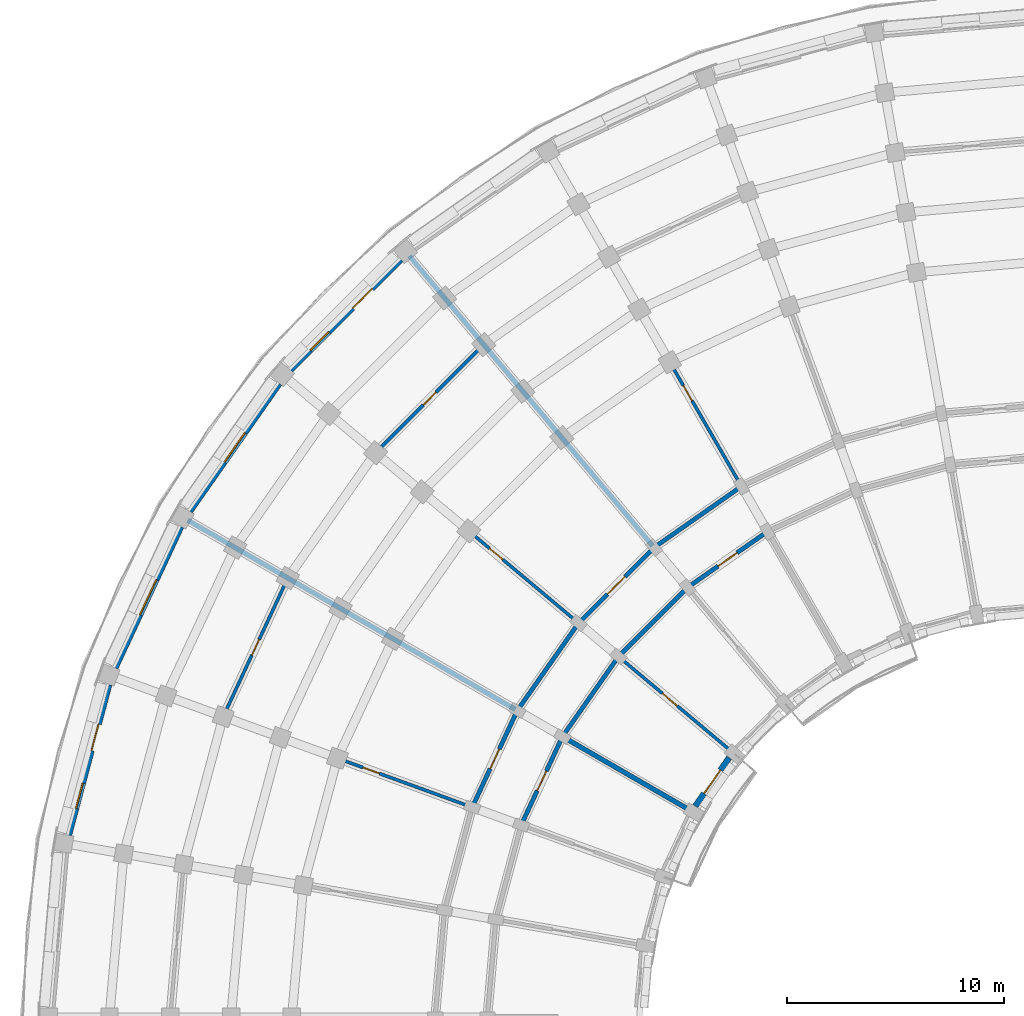
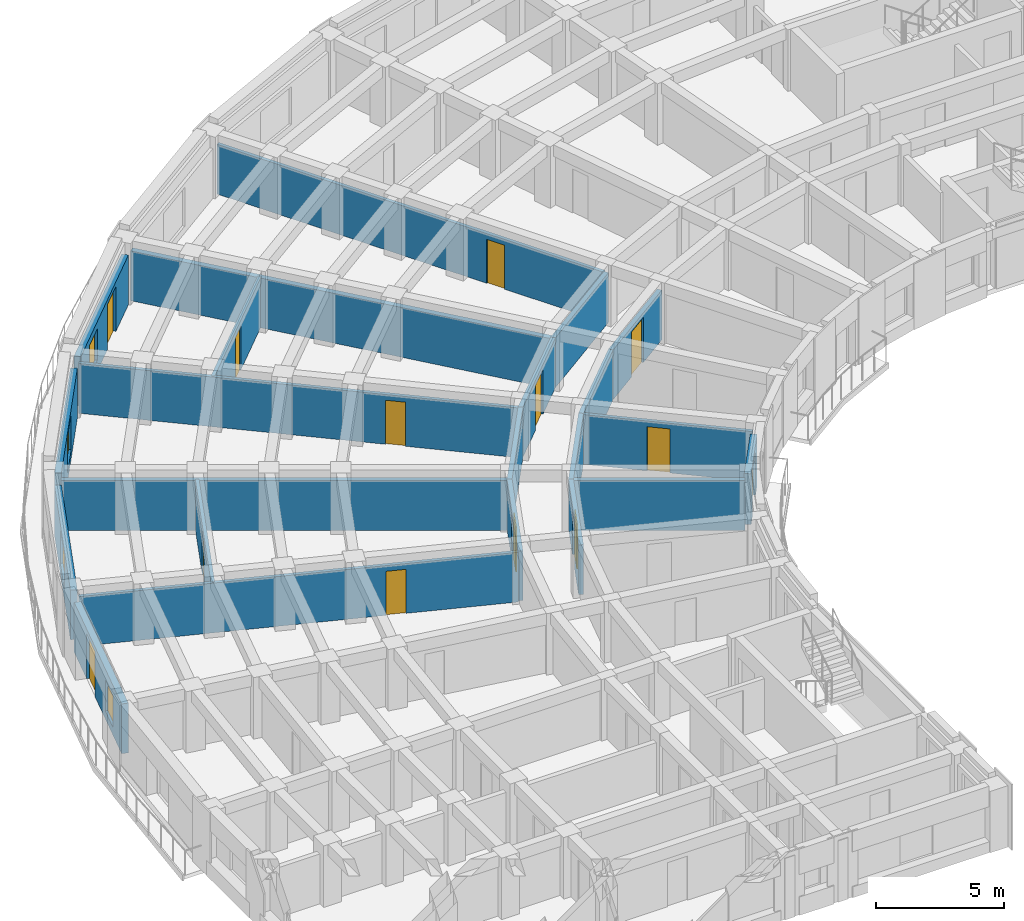
# One storey, part 24 of 54: 22 walls, 13 doors, 4 windows, 17 openings.
"""IFC4 building model written with IfcOpenShell, lengths in metres."""

import ifcopenshell
import ifcopenshell.guid

model = None  # the IFC model being written
_history = None  # IfcOwnerHistory: only IFC2X3 demands one
_inside = {}  # id of a spatial element -> (the spatial element, [elements in it])
_under = {}  # id of a project, library or spatial element -> (it, [spatial elements below it])
_declared = {}  # id of a project -> (the project, [libraries it declares])
_typed = {}  # id of a type object -> (the type object, [elements of that type])
_made_of = {}  # id of a material, layer set ... -> (it, [elements and type objects made of it])


def new_model(schema):
    """Start an empty IFC model of exactly this schema.

    Asked for "IFC4X3", IfcOpenShell would pick the latest addendum, in which some entities
    have other attributes; the version numbers below select the first issue.
    IFC2X3 requires an IfcOwnerHistory on every rooted entity: one is made here for all.
    """
    global model, _history
    if schema == "IFC4X3":
        model = ifcopenshell.file(schema_version=(4, 3, 0, 0))
    else:
        model = ifcopenshell.file(schema=schema)
    _inside.clear()
    _under.clear()
    _declared.clear()
    _typed.clear()
    _made_of.clear()
    _history = None
    if model.schema == "IFC2X3":
        org = make("IfcOrganization", Name="unknown")
        user = make(
            "IfcPersonAndOrganization",
            ThePerson=make("IfcPerson", FamilyName="unknown"),
            TheOrganization=org,
        )
        app = make(
            "IfcApplication",
            ApplicationDeveloper=org,
            Version="unknown",
            ApplicationFullName="unknown",
            ApplicationIdentifier="unknown",
        )
        _history = make(
            "IfcOwnerHistory",
            OwningUser=user,
            OwningApplication=app,
            ChangeAction="ADDED",
            CreationDate=0,
        )
    return model


def make(cls, **values):
    """One entity of the class cls with the attributes given. An attribute that is None is left unset."""
    return model.create_entity(
        cls, **{name: value for name, value in values.items() if value is not None}
    )


def rooted(cls, **values):
    """An entity with a GlobalId (a new one), such as an element, a storey or a relation."""
    return make(cls, GlobalId=ifcopenshell.guid.new(), OwnerHistory=_history, **values)


def si_unit(unit_type, name, prefix=None):
    """IfcSIUnit, for example si_unit("LENGTHUNIT", "METRE", prefix="MILLI")."""
    return make("IfcSIUnit", UnitType=unit_type, Prefix=prefix, Name=name)


def assignment(units):
    """IfcUnitAssignment: the units of a project."""
    return None if units is None else make("IfcUnitAssignment", Units=units)


def point(xyz):
    """IfcCartesianPoint."""
    return None if xyz is None else make("IfcCartesianPoint", Coordinates=xyz)


def direction(xyz):
    """IfcDirection."""
    return None if xyz is None else make("IfcDirection", DirectionRatios=xyz)


def frame(location, z_axis=None, x_axis=None):
    """IfcAxis2Placement3D, a coordinate frame: its origin and axes. An axis left out is left unset."""
    return make(
        "IfcAxis2Placement3D",
        Location=point(location),
        Axis=direction(z_axis),
        RefDirection=direction(x_axis),
    )


def frame_2d(location, x_axis=None):
    """IfcAxis2Placement2D, a coordinate frame in the plane: its origin and x axis."""
    return make(
        "IfcAxis2Placement2D", Location=point(location), RefDirection=direction(x_axis)
    )


def origin():
    """The frame at (0, 0, 0) with its axes left unset."""
    return frame((0.0, 0.0, 0.0))


def place(relative_to, where):
    """IfcLocalPlacement: puts the frame where relative to a parent placement (None: the world)."""
    return make(
        "IfcLocalPlacement", PlacementRelTo=relative_to, RelativePlacement=where
    )


def context(
    kind, dimensions, precision=None, world=None, true_north=None, identifier=None
):
    """IfcGeometricRepresentationContext, for example the 3D "Model" context."""
    return make(
        "IfcGeometricRepresentationContext",
        ContextIdentifier=identifier,
        ContextType=kind,
        CoordinateSpaceDimension=dimensions,
        Precision=precision,
        WorldCoordinateSystem=world,
        TrueNorth=true_north,
    )


def subcontext(parent, identifier, kind, view, scale=None):
    """IfcGeometricRepresentationSubContext, for example "Body" below "Model"."""
    return make(
        "IfcGeometricRepresentationSubContext",
        ContextIdentifier=identifier,
        ContextType=kind,
        ParentContext=parent,
        TargetScale=scale,
        TargetView=view,
    )


def project(units=None, contexts=None):
    """IfcProject with its units and contexts."""
    return rooted(
        "IfcProject",
        Name="project",
        RepresentationContexts=contexts,
        UnitsInContext=assignment(units),
    )


def spatial(cls, under=None, at=None, **own):
    """A site, building, storey or space (cls), placed at a placement, below another one or the project."""
    s = rooted(cls, ObjectPlacement=at, **own)
    if under is not None:
        _under.setdefault(under.id(), (under, []))[1].append(s)
    return s


def profile(cls, at=None, kind="AREA", **sizes):
    """A parametric profile (cls). Its sizes go by their IFC names, for example OverallWidth=200.0."""
    return make(cls, ProfileType=kind, Position=at, **sizes)


def rectangle(**sizes):
    """IfcRectangleProfileDef."""
    return profile("IfcRectangleProfileDef", **sizes)


def extrude(swept, where, along, depth):
    """IfcExtrudedAreaSolid: the profile swept, set in the frame where, extruded along a direction by depth."""
    return make(
        "IfcExtrudedAreaSolid",
        SweptArea=swept,
        Position=where,
        ExtrudedDirection=direction(along),
        Depth=depth,
    )


def shape(context_of_items, identifier, shape_type, items):
    """IfcShapeRepresentation: the items that make up one representation, for example the "Body"."""
    return make(
        "IfcShapeRepresentation",
        ContextOfItems=context_of_items,
        RepresentationIdentifier=identifier,
        RepresentationType=shape_type,
        Items=items,
    )


def material(Name=None, Category=None):
    """IfcMaterial."""
    return make("IfcMaterial", Name=Name, Category=Category)


def layer(
    of_material, thickness, ventilated=None, Name=None, Category=None, Priority=None
):
    """IfcMaterialLayer: one layer of a wall or slab, of a material (None: an air gap)."""
    return make(
        "IfcMaterialLayer",
        Material=of_material,
        LayerThickness=thickness,
        IsVentilated=ventilated,
        Name=Name,
        Category=Category,
        Priority=Priority,
    )


def layer_set(layers, Name=None):
    """IfcMaterialLayerSet."""
    return make("IfcMaterialLayerSet", MaterialLayers=layers, LayerSetName=Name)


def made_of(thing, what):
    """Note that an element or type object is made of a material, layer set ...; save() writes the relation."""
    if what is not None:
        _made_of.setdefault(what.id(), (what, []))[1].append(thing)
    return thing


def type_object(cls, material=None, **own):
    """A type object (cls), such as IfcWallType, which elements share."""
    return made_of(rooted(cls, **own), material)


def element(
    cls,
    number,
    at=None,
    inside=None,
    cuts=None,
    type_object=None,
    material=None,
    context=None,
    identifier="Body",
    shape_type=None,
    held_by="IfcProductDefinitionShape",
    body=None,
    shapes=None,
    **own,
):
    """One element of the class cls, such as IfcWall. Its Tag is "e" and its number.

    at: its placement. inside: the storey or other place that contains it. cuts: it is an
    opening in that element (IfcRelVoidsElement). A single representation is given by context,
    identifier, shape_type and body (its items); several are given by shapes. held_by: the class
    of the entity that holds the representations. save() writes the other relations.
    """
    e = rooted(cls, Tag="e%d" % number, ObjectPlacement=at, **own)
    if body is not None:
        shapes = [shape(context, identifier, shape_type, body)]
    if shapes is not None:
        e.Representation = make(held_by, Representations=shapes)
    if inside is not None:
        _inside.setdefault(inside.id(), (inside, []))[1].append(e)
    if cuts is not None:
        rooted(
            "IfcRelVoidsElement", RelatingBuildingElement=cuts, RelatedOpeningElement=e
        )
    if type_object is not None:
        _typed.setdefault(type_object.id(), (type_object, []))[1].append(e)
    return made_of(e, material)


def fill(opening, filler):
    """IfcRelFillsElement: the door or window that sits in an opening."""
    return rooted(
        "IfcRelFillsElement",
        RelatingOpeningElement=opening,
        RelatedBuildingElement=filler,
    )


def aggregate(whole, parts):
    """IfcRelAggregates: a whole, such as a stair, and the parts it consists of."""
    return rooted("IfcRelAggregates", RelatingObject=whole, RelatedObjects=parts)


def save(model, path):
    """Write the relations noted so far, then the file.

    IfcRelAggregates (storeys below a building ...), IfcRelContainedInSpatialStructure (elements
    in a storey), IfcRelDefinesByType, IfcRelAssociatesMaterial and IfcRelDeclares: one each for
    every whole, place, type object, material and project.
    """
    for whole, parts in _under.values():
        aggregate(whole, parts)
    for where, things in _inside.values():
        rooted(
            "IfcRelContainedInSpatialStructure",
            RelatedElements=things,
            RelatingStructure=where,
        )
    for kind, things in _typed.values():
        rooted("IfcRelDefinesByType", RelatedObjects=things, RelatingType=kind)
    for what, things in _made_of.values():
        rooted("IfcRelAssociatesMaterial", RelatedObjects=things, RelatingMaterial=what)
    for by, libraries in _declared.values():
        rooted("IfcRelDeclares", RelatingContext=by, RelatedDefinitions=libraries)
    model.write(path)


model = new_model("IFC4")

# Units and contexts
model_context = context("Model", 3, precision=1e-05, world=origin(), true_north=direction((0.0, 1.0)))
body_context = subcontext(model_context, "Body", "Model", "MODEL_VIEW")
ifc_project = project(units=[si_unit("LENGTHUNIT", "METRE"), si_unit("AREAUNIT", "SQUARE_METRE"), si_unit("VOLUMEUNIT", "CUBIC_METRE"), si_unit("PLANEANGLEUNIT", "RADIAN"), si_unit("MASSUNIT", "GRAM", prefix="KILO")], contexts=[model_context])

# Site, building, storey
site_placement = place(None, origin())
site = spatial("IfcSite", under=ifc_project, at=site_placement, CompositionType="ELEMENT")
building_placement = place(site_placement, origin())
building = spatial("IfcBuilding", under=site, at=building_placement, Name="Kiranvali Square Residences", CompositionType="ELEMENT")
storey_placement = place(building_placement, frame((0.0, 0.0, 11.85009765625)))
storey = spatial("IfcBuildingStorey", under=building, at=storey_placement, Name="L03", CompositionType="ELEMENT", Elevation=11.85009765625)

# Wall, opening, door
ifc_material_1 = material(Name="Autoclaved aerated concrete blockwork masonry", Category="masonry")
ifc_layer_1 = layer(ifc_material_1, 0.199951171875)
ifc_layer_set_1 = layer_set([ifc_layer_1], Name="Autoclaved aerated concrete blockwork masonry")
wall_type_1 = type_object("IfcWallType", Name="WL-COR-200", PredefinedType="STANDARD", material=ifc_layer_set_1)
wall_1_placement = place(storey_placement, frame((35.300048828125, 110.1435546875, 0.0), z_axis=(0.0, 0.0, 1.0), x_axis=(-0.819155404658, -0.573571637217, 0.0)))
wall_1 = element("IfcWall", 1, at=wall_1_placement, inside=storey, type_object=wall_type_1, Name="L03 architectural wall WL-L03-A-CCI-3", PredefinedType="STANDARD", context=body_context, shape_type="SweptSolid", body=[
    extrude(rectangle(XDim=4.497314453125, YDim=0.199951171875, at=frame_2d((2.24853515625, 0.0))), origin(), (0.0, 0.0, 1.0), 2.371826171875),
])
opening_1_placement = place(wall_1_placement, frame((1.708740234375, 0.0, 0.0)))
opening_1 = element("IfcOpeningElement", 2, at=opening_1_placement, cuts=wall_1, Name="Opening FD-APT-60C", PredefinedType="OPENING", context=body_context, shape_type="SweptSolid", body=[
    extrude(rectangle(XDim=1.080078125, YDim=2.14990234375, at=frame_2d((0.5400390625, 1.074951171875))), frame((0.0, 0.10986328125, 0.0), z_axis=(0.0, -1.0, 0.0), x_axis=(1.0, 0.0, 0.0)), (0.0, 0.0, 1.0), 0.219970703125),
])
ifc_material_2 = material(Name="Fire-rated acoustic hardwood and mineral-core door assembly", Category="wood")
door_type_1 = type_object("IfcDoorType", Name="DR-APT-1080", OperationType="NOTDEFINED", PredefinedType="DOOR", material=ifc_material_2)
door_1_placement = place(opening_1_placement, origin())
door_1 = element("IfcDoor", 3, at=door_1_placement, inside=storey, type_object=door_type_1, Name="L03 door DR-L03-0263 (DR-APT-1080)", OperationType="SINGLE_SWING_LEFT", OverallHeight=2.14990234375, OverallWidth=1.080078125, PredefinedType="DOOR", context=body_context, shape_type="SweptSolid", body=[
    extrude(rectangle(XDim=1.080078125, YDim=2.14990234375, at=frame_2d((0.5400390625, 1.074951171875))), frame((0.0, 0.02490234375, 0.0), z_axis=(0.0, -1.0, 0.0), x_axis=(1.0, 0.0, 0.0)), (0.0, 0.0, 1.0), 0.050048828125),
])
fill(opening_1, door_1)

# Walls
wall_2_placement = place(storey_placement, frame((34.10009765625, 112.221923828125, 0.0), z_axis=(0.0, 0.0, 1.0), x_axis=(-0.819140911474, -0.573592335331, 0.0)))
element("IfcWall", 4, at=wall_2_placement, inside=storey, type_object=wall_type_1, Name="L03 architectural wall WL-L03-A-CCO-3", PredefinedType="STANDARD", context=body_context, shape_type="SweptSolid", body=[
    extrude(rectangle(XDim=4.915771484375, YDim=0.199951171875, at=frame_2d((2.4580078125, 0.0))), origin(), (0.0, 0.0, 1.0), 2.371826171875),
])
wall_3_placement = place(storey_placement, frame((31.615966796875, 107.56396484375, 0.0), z_axis=(0.0, 0.0, 1.0), x_axis=(-0.707106781187, -0.707106781187, 0.0)))
element("IfcWall", 5, at=wall_3_placement, inside=storey, type_object=wall_type_1, Name="L03 architectural wall WL-L03-A-CCI-4", PredefinedType="STANDARD", context=body_context, shape_type="SweptSolid", body=[
    extrude(rectangle(XDim=4.4970703125, YDim=0.199951171875, at=frame_2d((2.24853515625, 0.0))), origin(), (0.0, 0.0, 1.0), 2.371826171875),
])

# Wall, opening, door
wall_4_placement = place(storey_placement, frame((30.073486328125, 109.40234375, 0.0), z_axis=(0.0, 0.0, 1.0), x_axis=(-0.707106781187, -0.707106781187, 0.0)))
wall_4 = element("IfcWall", 6, at=wall_4_placement, inside=storey, type_object=wall_type_1, Name="L03 architectural wall WL-L03-A-CCO-4", PredefinedType="STANDARD", context=body_context, shape_type="SweptSolid", body=[
    extrude(rectangle(XDim=4.91552734375, YDim=0.199951171875, at=frame_2d((2.457763671875, 0.0))), origin(), (0.0, 0.0, 1.0), 2.371826171875),
])
opening_2_placement = place(wall_4_placement, frame((1.8876953125, 0.0, 0.0)))
opening_2 = element("IfcOpeningElement", 7, at=opening_2_placement, cuts=wall_4, Name="Opening FD-APT-60D", PredefinedType="OPENING", context=body_context, shape_type="SweptSolid", body=[
    extrude(rectangle(XDim=1.139892578125, YDim=2.14990234375, at=frame_2d((0.56982421875, 1.074951171875))), frame((0.0, 0.10986328125, 0.0), z_axis=(0.0, -1.0, 0.0), x_axis=(1.0, 0.0, 0.0)), (0.0, 0.0, 1.0), 0.219970703125),
])
door_type_2 = type_object("IfcDoorType", Name="DR-APT-1140", OperationType="NOTDEFINED", PredefinedType="DOOR", material=ifc_material_2)
door_2_placement = place(opening_2_placement, origin())
door_2 = element("IfcDoor", 8, at=door_2_placement, inside=storey, type_object=door_type_2, Name="L03 door DR-L03-0257 (DR-APT-1140)", OperationType="SINGLE_SWING_LEFT", OverallHeight=2.14990234375, OverallWidth=1.139892578125, PredefinedType="DOOR", context=body_context, shape_type="SweptSolid", body=[
    extrude(rectangle(XDim=1.139892578125, YDim=2.14990234375, at=frame_2d((0.56982421875, 1.074951171875))), frame((0.0, 0.02490234375, 0.0), z_axis=(0.0, -1.0, 0.0), x_axis=(1.0, 0.0, 0.0)), (0.0, 0.0, 1.0), 0.050048828125),
])
fill(opening_2, door_2)

# Walls
wall_5_placement = place(storey_placement, frame((28.43603515625, 104.384033203125, 0.0), z_axis=(0.0, 0.0, 1.0), x_axis=(-0.573571637217, -0.819155404658, 0.0)))
element("IfcWall", 9, at=wall_5_placement, inside=storey, type_object=wall_type_1, Name="L03 architectural wall WL-L03-A-CCI-5", PredefinedType="STANDARD", context=body_context, shape_type="SweptSolid", body=[
    extrude(rectangle(XDim=4.497314453125, YDim=0.199951171875, at=frame_2d((2.24853515625, 0.0))), origin(), (0.0, 0.0, 1.0), 2.371826171875),
])
wall_6_placement = place(storey_placement, frame((26.59765625, 105.926513671875, 0.0), z_axis=(0.0, 0.0, 1.0), x_axis=(-0.573592335331, -0.819140911474, 0.0)))
element("IfcWall", 10, at=wall_6_placement, inside=storey, type_object=wall_type_1, Name="L03 architectural wall WL-L03-A-CCO-5", PredefinedType="STANDARD", context=body_context, shape_type="SweptSolid", body=[
    extrude(rectangle(XDim=4.915771484375, YDim=0.199951171875, at=frame_2d((2.4580078125, 0.0))), origin(), (0.0, 0.0, 1.0), 2.371826171875),
])

# Wall, opening, door
wall_7_placement = place(storey_placement, frame((25.8564453125, 100.699951171875, 0.0), z_axis=(0.0, 0.0, 1.0), x_axis=(-0.422617978463, -0.906307919131, 0.0)))
wall_7 = element("IfcWall", 11, at=wall_7_placement, inside=storey, type_object=wall_type_1, Name="L03 architectural wall WL-L03-A-CCI-6", PredefinedType="STANDARD", context=body_context, shape_type="SweptSolid", body=[
    extrude(rectangle(XDim=4.497314453125, YDim=0.199951171875, at=frame_2d((2.24853515625, 0.0))), origin(), (0.0, 0.0, 1.0), 2.371826171875),
])
opening_3_placement = place(wall_7_placement, frame((1.74853515625, 0.0, 0.0)))
opening_3 = element("IfcOpeningElement", 12, at=opening_3_placement, cuts=wall_7, Name="Opening FD-APT-60", PredefinedType="OPENING", context=body_context, shape_type="SweptSolid", body=[
    extrude(rectangle(XDim=1.0, YDim=2.14990234375, at=frame_2d((0.5, 1.074951171875))), frame((0.0, 0.10986328125, 0.0), z_axis=(0.0, -1.0, 0.0), x_axis=(1.0, 0.0, 0.0)), (0.0, 0.0, 1.0), 0.219970703125),
])
door_type_3 = type_object("IfcDoorType", Name="DR-APT-1000", OperationType="NOTDEFINED", PredefinedType="DOOR", material=ifc_material_2)
door_3_placement = place(opening_3_placement, frame((1.0, 0.0, 0.0), z_axis=(0.0, 0.0, 1.0), x_axis=(-1.0, 0.0, 0.0)))
door_3 = element("IfcDoor", 13, at=door_3_placement, inside=storey, type_object=door_type_3, Name="L03 door DR-L03-0264 (DR-APT-1000)", OperationType="SINGLE_SWING_RIGHT", OverallHeight=2.14990234375, OverallWidth=1.0, PredefinedType="DOOR", context=body_context, shape_type="SweptSolid", body=[
    extrude(rectangle(XDim=1.0, YDim=2.14990234375, at=frame_2d((0.5, 1.074951171875))), frame((0.0, 0.02490234375, 0.0), z_axis=(0.0, -1.0, 0.0), x_axis=(1.0, 0.0, 0.0)), (0.0, 0.0, 1.0), 0.050048828125),
])
fill(opening_3, door_3)

wall_8_placement = place(storey_placement, frame((23.778076171875, 101.89990234375, 0.0), z_axis=(0.0, 0.0, 1.0), x_axis=(-0.422629854778, -0.906302381024, 0.0)))
wall_8 = element("IfcWall", 14, at=wall_8_placement, inside=storey, type_object=wall_type_1, Name="L03 architectural wall WL-L03-A-CCO-6", PredefinedType="STANDARD", context=body_context, shape_type="SweptSolid", body=[
    extrude(rectangle(XDim=4.915283203125, YDim=0.199951171875, at=frame_2d((2.45751953125, 0.0))), origin(), (0.0, 0.0, 1.0), 2.371826171875),
])
opening_4_placement = place(wall_8_placement, frame((1.957763671875, 0.0, 0.0)))
opening_4 = element("IfcOpeningElement", 15, at=opening_4_placement, cuts=wall_8, Name="Opening FD-APT-60", PredefinedType="OPENING", context=body_context, shape_type="SweptSolid", body=[
    extrude(rectangle(XDim=1.0, YDim=2.14990234375, at=frame_2d((0.5, 1.074951171875))), frame((0.0, 0.10986328125, 0.0), z_axis=(0.0, -1.0, 0.0), x_axis=(1.0, 0.0, 0.0)), (0.0, 0.0, 1.0), 0.219970703125),
])
door_4_placement = place(opening_4_placement, origin())
door_4 = element("IfcDoor", 16, at=door_4_placement, inside=storey, type_object=door_type_3, Name="L03 door DR-L03-0259 (DR-APT-1000)", OperationType="SINGLE_SWING_LEFT", OverallHeight=2.14990234375, OverallWidth=1.0, PredefinedType="DOOR", context=body_context, shape_type="SweptSolid", body=[
    extrude(rectangle(XDim=1.0, YDim=2.14990234375, at=frame_2d((0.5, 1.074951171875))), frame((0.0, 0.02490234375, 0.0), z_axis=(0.0, -1.0, 0.0), x_axis=(1.0, 0.0, 0.0)), (0.0, 0.0, 1.0), 0.050048828125),
])
fill(opening_4, door_4)

# Walls
ifc_layer_2 = layer(ifc_material_1, 0.219970703125)
ifc_layer_set_2 = layer_set([ifc_layer_2], Name="Autoclaved aerated concrete blockwork masonry")
wall_type_2 = type_object("IfcWallType", Name="WL-DEM-220", PredefinedType="STANDARD", material=ifc_layer_set_2)
wall_9_placement = place(storey_placement, frame((31.74560546875, 97.300048828125, 0.0), z_axis=(0.0, 0.0, 1.0), x_axis=(-0.866026575979, 0.499997969693, 0.0)))
element("IfcWall", 17, at=wall_9_placement, inside=storey, type_object=wall_type_2, Name="L03 architectural wall WL-L03-A-RADI-6", PredefinedType="STANDARD", context=body_context, shape_type="SweptSolid", body=[
    extrude(rectangle(XDim=6.75, YDim=0.219970703125, at=frame_2d((3.375, 0.0))), origin(), (0.0, 0.0, 1.0), 2.371826171875),
])
ifc_layer_3 = layer(ifc_material_1, 0.22998046875)
ifc_layer_set_3 = layer_set([ifc_layer_3], Name="Autoclaved aerated concrete blockwork masonry")
wall_type_3 = type_object("IfcWallType", Name="WL-DEM-230", PredefinedType="STANDARD", material=ifc_layer_set_3)
for number, where, z_axis, x_axis, name in (
    (18, (30.009033203125, 109.47900390625, 0.0), (0.0, 0.0, 1.0), (-0.642784757967, 0.766046835987, 0.0), "L03 architectural wall WL-L03-A-RADO-4"),
    (19, (23.69140625, 101.949951171875, 0.0), (0.0, 0.0, 1.0), (-0.866026648973, 0.499997843263, 0.0), "L03 architectural wall WL-L03-A-RADO-6"),
):
    element("IfcWall", number, at=place(storey_placement, frame(where, z_axis=z_axis, x_axis=x_axis)), inside=storey, type_object=wall_type_3, Name=name, PredefinedType="STANDARD", context=body_context, shape_type="SweptSolid", body=[
        extrude(rectangle(XDim=17.419921875, YDim=0.22998046875, at=frame_2d((8.7099609375, 0.0))), origin(), (0.0, 0.0, 1.0), 2.371826171875),
    ])

# Wall, openings, door, window
ifc_material_3 = material(Name="Breathable lime-rendered clay brick masonry", Category="masonry")
ifc_layer_4 = layer(ifc_material_3, 0.27490234375)
ifc_layer_set_4 = layer_set([ifc_layer_4], Name="Breathable lime-rendered clay brick masonry")
wall_type_4 = type_object("IfcWallType", Name="WL-EXT-275", PredefinedType="STANDARD", material=ifc_layer_set_4)
wall_10_placement = place(storey_placement, frame((18.418212890625, 122.647705078125, 0.0), z_axis=(0.0, 0.0, 1.0), x_axis=(-0.707106781187, -0.707106781187, 0.0)))
wall_10 = element("IfcWall", 20, at=wall_10_placement, inside=storey, type_object=wall_type_4, Name="L03 exterior wall A-L03-CRV-04", PredefinedType="STANDARD", context=body_context, shape_type="SweptSolid", body=[
    extrude(rectangle(XDim=7.164306640625, YDim=0.27490234375, at=frame_2d((3.58203125, 0.0))), origin(), (0.0, 0.0, 1.0), 2.371826171875),
])
opening_5_placement = place(wall_10_placement, frame((4.6904296875, 0.0, 0.52197265625)))
opening_5 = element("IfcOpeningElement", 21, at=opening_5_placement, cuts=wall_10, Name="Opening W-06", PredefinedType="OPENING", context=body_context, shape_type="SweptSolid", body=[
    extrude(rectangle(XDim=1.199951171875, YDim=1.5, at=frame_2d((0.60009765625, 0.75))), frame((0.0, 0.1474609375, 0.0), z_axis=(0.0, -1.0, 0.0), x_axis=(1.0, 0.0, 0.0)), (0.0, 0.0, 1.0), 0.294921875),
])
opening_6_placement = place(wall_10_placement, frame((1.87744140625, 0.0, 0.0)))
opening_6 = element("IfcOpeningElement", 22, at=opening_6_placement, cuts=wall_10, Name="Opening ED-BAL-2", PredefinedType="OPENING", context=body_context, shape_type="SweptSolid", body=[
    extrude(rectangle(XDim=1.260009765625, YDim=2.14990234375, at=frame_2d((0.6298828125, 1.074951171875))), frame((0.0, 0.1474609375, 0.0), z_axis=(0.0, -1.0, 0.0), x_axis=(1.0, 0.0, 0.0)), (0.0, 0.0, 1.0), 0.294921875),
])
ifc_material_4 = material(Name="Anodised bronze aluminium framing", Category="aluminium")
door_type_4 = type_object("IfcDoorType", Name="DR-BAL-1260", OperationType="NOTDEFINED", PredefinedType="DOOR", material=ifc_material_4)
door_5_placement = place(opening_6_placement, frame((1.260009765625, 0.0, 0.0), z_axis=(0.0, 0.0, 1.0), x_axis=(-1.0, 0.0, 0.0)))
door_5 = element("IfcDoor", 23, at=door_5_placement, inside=storey, type_object=door_type_4, Name="L03 balcony terrace door", OperationType="SINGLE_SWING_LEFT", OverallHeight=2.14990234375, OverallWidth=1.260009765625, PredefinedType="DOOR", context=body_context, shape_type="SweptSolid", body=[
    extrude(rectangle(XDim=1.260009765625, YDim=2.14990234375, at=frame_2d((0.6298828125, 1.074951171875))), frame((0.0, 0.02490234375, 0.0), z_axis=(0.0, -1.0, 0.0), x_axis=(1.0, 0.0, 0.0)), (0.0, 0.0, 1.0), 0.050048828125),
])
fill(opening_6, door_5)
ifc_material_5 = material(Name="Solar-control low-e double glazing", Category="glass")
window_type_1 = type_object("IfcWindowType", Name="WIN-RES-1200x1500", PartitioningType="SINGLE_PANEL", PredefinedType="WINDOW", material=ifc_material_5)
window_1_placement = place(opening_5_placement, origin())
window_1 = element("IfcWindow", 24, at=window_1_placement, inside=storey, type_object=window_type_1, Name="L03 recessed window A-L03-CRV-04", OverallHeight=1.5, OverallWidth=1.199951171875, PartitioningType="SINGLE_PANEL", PredefinedType="WINDOW", context=body_context, shape_type="SweptSolid", body=[
    extrude(rectangle(XDim=1.199951171875, YDim=1.5, at=frame_2d((0.60009765625, 0.75))), frame((0.0, 0.030029296875, 0.0), z_axis=(0.0, -1.0, 0.0), x_axis=(1.0, 0.0, 0.0)), (0.0, 0.0, 1.0), 0.06005859375),
])
fill(opening_5, window_1)

# Wall, opening, window
wall_11_placement = place(storey_placement, frame((12.8193359375, 116.94677734375, 0.0), z_axis=(0.0, 0.0, 1.0), x_axis=(-0.573562972382, -0.819161471697, 0.0)))
wall_11 = element("IfcWall", 25, at=wall_11_placement, inside=storey, type_object=wall_type_4, Name="L03 exterior wall A-L03-CRV-05", PredefinedType="STANDARD", context=body_context, shape_type="SweptSolid", body=[
    extrude(rectangle(XDim=7.164306640625, YDim=0.27490234375, at=frame_2d((3.58203125, 0.0))), origin(), (0.0, 0.0, 1.0), 2.371826171875),
])
opening_7_placement = place(wall_11_placement, frame((2.757080078125, 0.0, 0.422119140625)))
opening_7 = element("IfcOpeningElement", 26, at=opening_7_placement, cuts=wall_11, Name="Opening W-13", PredefinedType="OPENING", context=body_context, shape_type="SweptSolid", body=[
    extrude(rectangle(XDim=1.64990234375, YDim=1.75, at=frame_2d((0.824951171875, 0.875))), frame((0.0, 0.1474609375, 0.0), z_axis=(0.0, -1.0, 0.0), x_axis=(1.0, 0.0, 0.0)), (0.0, 0.0, 1.0), 0.294921875),
])
window_type_2 = type_object("IfcWindowType", Name="WIN-RES-1650x1750", PartitioningType="DOUBLE_PANEL_VERTICAL", PredefinedType="WINDOW", material=ifc_material_5)
window_2_placement = place(opening_7_placement, origin())
window_2 = element("IfcWindow", 27, at=window_2_placement, inside=storey, type_object=window_type_2, Name="L03 recessed window A-L03-CRV-05", OverallHeight=1.75, OverallWidth=1.64990234375, PartitioningType="DOUBLE_PANEL_VERTICAL", PredefinedType="WINDOW", context=body_context, shape_type="SweptSolid", body=[
    extrude(rectangle(XDim=1.64990234375, YDim=1.75, at=frame_2d((0.824951171875, 0.875))), frame((0.0, 0.030029296875, 0.0), z_axis=(0.0, -1.0, 0.0), x_axis=(1.0, 0.0, 0.0)), (0.0, 0.0, 1.0), 0.06005859375),
])
fill(opening_7, window_2)

wall_12_placement = place(storey_placement, frame((8.295654296875, 110.360107421875, 0.0), z_axis=(0.0, 0.0, 1.0), x_axis=(-0.422633596215, -0.906300636296, 0.0)))
wall_12 = element("IfcWall", 28, at=wall_12_placement, inside=storey, type_object=wall_type_4, Name="L03 exterior wall A-L03-CRV-06", PredefinedType="STANDARD", context=body_context, shape_type="SweptSolid", body=[
    extrude(rectangle(XDim=7.164306640625, YDim=0.27490234375, at=frame_2d((3.58203125, 0.0))), origin(), (0.0, 0.0, 1.0), 2.371826171875),
])
opening_8_placement = place(wall_12_placement, frame((2.68212890625, 0.0, 0.52197265625)))
opening_8 = element("IfcOpeningElement", 29, at=opening_8_placement, cuts=wall_12, Name="Opening W-04", PredefinedType="OPENING", context=body_context, shape_type="SweptSolid", body=[
    extrude(rectangle(XDim=1.800048828125, YDim=1.64990234375, at=frame_2d((0.89990234375, 0.824951171875))), frame((0.0, 0.1474609375, 0.0), z_axis=(0.0, -1.0, 0.0), x_axis=(1.0, 0.0, 0.0)), (0.0, 0.0, 1.0), 0.294921875),
])
window_type_3 = type_object("IfcWindowType", Name="WIN-RES-1800x1650", PartitioningType="DOUBLE_PANEL_VERTICAL", PredefinedType="WINDOW", material=ifc_material_5)
window_3_placement = place(opening_8_placement, origin())
window_3 = element("IfcWindow", 30, at=window_3_placement, inside=storey, type_object=window_type_3, Name="L03 recessed window A-L03-CRV-06", OverallHeight=1.64990234375, OverallWidth=1.800048828125, PartitioningType="DOUBLE_PANEL_VERTICAL", PredefinedType="WINDOW", context=body_context, shape_type="SweptSolid", body=[
    extrude(rectangle(XDim=1.800048828125, YDim=1.64990234375, at=frame_2d((0.89990234375, 0.824951171875))), frame((0.0, 0.030029296875, 0.0), z_axis=(0.0, -1.0, 0.0), x_axis=(1.0, 0.0, 0.0)), (0.0, 0.0, 1.0), 0.06005859375),
])
fill(opening_8, window_3)

# Wall, openings, door, window
wall_13_placement = place(storey_placement, frame((4.984375, 103.087890625, 0.0), z_axis=(0.0, 0.0, 1.0), x_axis=(-0.258826933296, -0.965923712619, 0.0)))
wall_13 = element("IfcWall", 31, at=wall_13_placement, inside=storey, type_object=wall_type_4, Name="L03 exterior wall A-L03-CRV-07", PredefinedType="STANDARD", context=body_context, shape_type="SweptSolid", body=[
    extrude(rectangle(XDim=7.1640625, YDim=0.27490234375, at=frame_2d((3.58203125, 0.0))), origin(), (0.0, 0.0, 1.0), 2.371826171875),
])
opening_9_placement = place(wall_13_placement, frame((4.6904296875, 0.0, 0.3720703125)))
opening_9 = element("IfcOpeningElement", 32, at=opening_9_placement, cuts=wall_13, Name="Opening W-06", PredefinedType="OPENING", context=body_context, shape_type="SweptSolid", body=[
    extrude(rectangle(XDim=1.199951171875, YDim=1.5, at=frame_2d((0.60009765625, 0.75))), frame((0.0, 0.1474609375, 0.0), z_axis=(0.0, -1.0, 0.0), x_axis=(1.0, 0.0, 0.0)), (0.0, 0.0, 1.0), 0.294921875),
])
opening_10_placement = place(wall_13_placement, frame((1.87744140625, 0.0, 0.0)))
opening_10 = element("IfcOpeningElement", 33, at=opening_10_placement, cuts=wall_13, Name="Opening ED-BAL-2", PredefinedType="OPENING", context=body_context, shape_type="SweptSolid", body=[
    extrude(rectangle(XDim=1.260009765625, YDim=2.14990234375, at=frame_2d((0.6298828125, 1.074951171875))), frame((0.0, 0.1474609375, 0.0), z_axis=(0.0, -1.0, 0.0), x_axis=(1.0, 0.0, 0.0)), (0.0, 0.0, 1.0), 0.294921875),
])
door_6_placement = place(opening_10_placement, frame((1.260009765625, 0.0, 0.0), z_axis=(0.0, 0.0, 1.0), x_axis=(-1.0, 0.0, 0.0)))
door_6 = element("IfcDoor", 34, at=door_6_placement, inside=storey, type_object=door_type_4, Name="L03 balcony terrace door", OperationType="SINGLE_SWING_RIGHT", OverallHeight=2.14990234375, OverallWidth=1.260009765625, PredefinedType="DOOR", context=body_context, shape_type="SweptSolid", body=[
    extrude(rectangle(XDim=1.260009765625, YDim=2.14990234375, at=frame_2d((0.6298828125, 1.074951171875))), frame((0.0, 0.02490234375, 0.0), z_axis=(0.0, -1.0, 0.0), x_axis=(1.0, 0.0, 0.0)), (0.0, 0.0, 1.0), 0.050048828125),
])
fill(opening_10, door_6)
window_4_placement = place(opening_9_placement, origin())
window_4 = element("IfcWindow", 35, at=window_4_placement, inside=storey, type_object=window_type_1, Name="L03 recessed window A-L03-CRV-07", OverallHeight=1.5, OverallWidth=1.199951171875, PartitioningType="SINGLE_PANEL", PredefinedType="WINDOW", context=body_context, shape_type="SweptSolid", body=[
    extrude(rectangle(XDim=1.199951171875, YDim=1.5, at=frame_2d((0.60009765625, 0.75))), frame((0.0, 0.030029296875, 0.0), z_axis=(0.0, -1.0, 0.0), x_axis=(1.0, 0.0, 0.0)), (0.0, 0.0, 1.0), 0.06005859375),
])
fill(opening_9, window_4)

# Wall, opening, door
wall_14_placement = place(storey_placement, frame((33.535400390625, 99.72705078125, 0.0), z_axis=(0.0, 0.0, 1.0), x_axis=(-0.573546755948, -0.81917282593, 0.0)))
wall_14 = element("IfcWall", 36, at=wall_14_placement, inside=storey, type_object=wall_type_4, Name="L03 exterior wall A-L03-GDN-05", PredefinedType="STANDARD", context=body_context, shape_type="SweptSolid", body=[
    extrude(rectangle(XDim=2.717529296875, YDim=0.27490234375, at=frame_2d((1.35888671875, 0.0))), origin(), (0.0, 0.0, 1.0), 2.421875),
])
opening_11_placement = place(wall_14_placement, frame((0.69873046875, 0.0, 0.0)))
opening_11 = element("IfcOpeningElement", 37, at=opening_11_placement, cuts=wall_14, Name="Opening ED-BAL-3", PredefinedType="OPENING", context=body_context, shape_type="SweptSolid", body=[
    extrude(rectangle(XDim=1.320068359375, YDim=2.14990234375, at=frame_2d((0.66015625, 1.074951171875))), frame((0.0, 0.1474609375, 0.0), z_axis=(0.0, -1.0, 0.0), x_axis=(1.0, 0.0, 0.0)), (0.0, 0.0, 1.0), 0.294921875),
])
door_type_5 = type_object("IfcDoorType", Name="DR-BAL-1320", OperationType="NOTDEFINED", PredefinedType="DOOR", material=ifc_material_4)
door_7_placement = place(opening_11_placement, origin())
door_7 = element("IfcDoor", 38, at=door_7_placement, inside=storey, type_object=door_type_5, Name="L03 balcony terrace door", OperationType="SINGLE_SWING_RIGHT", OverallHeight=2.14990234375, OverallWidth=1.320068359375, PredefinedType="DOOR", context=body_context, shape_type="SweptSolid", body=[
    extrude(rectangle(XDim=1.320068359375, YDim=2.14990234375, at=frame_2d((0.66015625, 1.074951171875))), frame((0.0, 0.02490234375, 0.0), z_axis=(0.0, -1.0, 0.0), x_axis=(1.0, 0.0, 0.0)), (0.0, 0.0, 1.0), 0.050048828125),
])
fill(opening_11, door_7)

ifc_material_6 = material(Name="Acoustic gypsum board drylined partition", Category="gypsum")
ifc_layer_5 = layer(ifc_material_6, 0.14990234375)
ifc_layer_set_5 = layer_set([ifc_layer_5], Name="Acoustic gypsum board drylined partition")
wall_type_5 = type_object("IfcWallType", Name="WL-PRT-150", PredefinedType="PARTITIONING", material=ifc_layer_set_5)
wall_15_placement = place(storey_placement, frame((34.050048828125, 112.30859375, 0.0), z_axis=(0.0, 0.0, 1.0), x_axis=(-0.499997843263, 0.866026648973, 0.0)))
wall_15 = element("IfcWall", 39, at=wall_15_placement, inside=storey, type_object=wall_type_5, Name="L03 architectural wall WL-L03-A-RADO-3", PredefinedType="PARTITIONING", context=body_context, shape_type="SweptSolid", body=[
    extrude(rectangle(XDim=17.419921875, YDim=0.14990234375, at=frame_2d((8.7099609375, 0.0))), origin(), (0.0, 0.0, 1.0), 2.371826171875),
])
opening_12_placement = place(wall_15_placement, frame((4.44970703125, 0.0, 0.0)))
opening_12 = element("IfcOpeningElement", 40, at=opening_12_placement, cuts=wall_15, Name="Opening ID-WET", PredefinedType="OPENING", context=body_context, shape_type="SweptSolid", body=[
    extrude(rectangle(XDim=0.800048828125, YDim=2.10009765625, at=frame_2d((0.39990234375, 1.050048828125))), frame((0.0, 0.0849609375, 0.0), z_axis=(0.0, -1.0, 0.0), x_axis=(1.0, 0.0, 0.0)), (0.0, 0.0, 1.0), 0.169921875),
])
ifc_material_7 = material(Name="Solid seasoned teak hardwood joinery", Category="wood")
door_type_6 = type_object("IfcDoorType", Name="DR-WET-800", OperationType="NOTDEFINED", PredefinedType="DOOR", material=ifc_material_7)
door_8_placement = place(opening_12_placement, origin())
door_8 = element("IfcDoor", 41, at=door_8_placement, inside=storey, type_object=door_type_6, Name="L03 door DR-L03-0245 (DR-WET-800)", OperationType="SINGLE_SWING_LEFT", OverallHeight=2.10009765625, OverallWidth=0.800048828125, PredefinedType="DOOR", context=body_context, shape_type="SweptSolid", body=[
    extrude(rectangle(XDim=0.800048828125, YDim=2.10009765625, at=frame_2d((0.39990234375, 1.050048828125))), frame((0.0, 0.02490234375, 0.0), z_axis=(0.0, -1.0, 0.0), x_axis=(1.0, 0.0, 0.0)), (0.0, 0.0, 1.0), 0.050048828125),
])
fill(opening_12, door_8)

wall_16_placement = place(storey_placement, frame((33.645263671875, 100.012939453125, 0.0), z_axis=(0.0, 0.0, 1.0), x_axis=(-0.766046761698, 0.642784846501, 0.0)))
wall_16 = element("IfcWall", 42, at=wall_16_placement, inside=storey, type_object=wall_type_5, Name="L03 architectural wall WL-L03-A-RADI-5", PredefinedType="PARTITIONING", context=body_context, shape_type="SweptSolid", body=[
    extrude(rectangle(XDim=6.75, YDim=0.14990234375, at=frame_2d((3.375, 0.0))), origin(), (0.0, 0.0, 1.0), 2.371826171875),
])
opening_13_placement = place(wall_16_placement, frame((3.262451171875, 0.0, 0.0)))
opening_13 = element("IfcOpeningElement", 43, at=opening_13_placement, cuts=wall_16, Name="Opening ID-1", PredefinedType="OPENING", context=body_context, shape_type="SweptSolid", body=[
    extrude(rectangle(XDim=0.89990234375, YDim=2.10009765625, at=frame_2d((0.449951171875, 1.050048828125))), frame((0.0, 0.0849609375, 0.0), z_axis=(0.0, -1.0, 0.0), x_axis=(1.0, 0.0, 0.0)), (0.0, 0.0, 1.0), 0.169921875),
])
door_type_7 = type_object("IfcDoorType", Name="DR-INT-900", OperationType="NOTDEFINED", PredefinedType="DOOR", material=ifc_material_7)
door_9_placement = place(opening_13_placement, origin())
door_9 = element("IfcDoor", 44, at=door_9_placement, inside=storey, type_object=door_type_7, Name="L03 door DR-L03-0247 (DR-INT-900)", OperationType="SINGLE_SWING_LEFT", OverallHeight=2.10009765625, OverallWidth=0.89990234375, PredefinedType="DOOR", context=body_context, shape_type="SweptSolid", body=[
    extrude(rectangle(XDim=0.89990234375, YDim=2.10009765625, at=frame_2d((0.449951171875, 1.050048828125))), frame((0.0, 0.02490234375, 0.0), z_axis=(0.0, -1.0, 0.0), x_axis=(1.0, 0.0, 0.0)), (0.0, 0.0, 1.0), 0.050048828125),
])
fill(opening_13, door_9)

wall_17_placement = place(storey_placement, frame((26.52099609375, 105.990966796875, 0.0), z_axis=(0.0, 0.0, 1.0), x_axis=(-0.766046835987, 0.642784757967, 0.0)))
wall_17 = element("IfcWall", 45, at=wall_17_placement, inside=storey, type_object=wall_type_5, Name="L03 architectural wall WL-L03-A-RADO-5", PredefinedType="PARTITIONING", context=body_context, shape_type="SweptSolid", body=[
    extrude(rectangle(XDim=17.419921875, YDim=0.14990234375, at=frame_2d((8.7099609375, 0.0))), origin(), (0.0, 0.0, 1.0), 2.371826171875),
])
opening_14_placement = place(wall_17_placement, frame((4.44970703125, 0.0, 0.0)))
opening_14 = element("IfcOpeningElement", 46, at=opening_14_placement, cuts=wall_17, Name="Opening ID-WET", PredefinedType="OPENING", context=body_context, shape_type="SweptSolid", body=[
    extrude(rectangle(XDim=0.800048828125, YDim=2.10009765625, at=frame_2d((0.39990234375, 1.050048828125))), frame((0.0, 0.0849609375, 0.0), z_axis=(0.0, -1.0, 0.0), x_axis=(1.0, 0.0, 0.0)), (0.0, 0.0, 1.0), 0.169921875),
])
door_10_placement = place(opening_14_placement, frame((0.800048828125, 0.0, 0.0), z_axis=(0.0, 0.0, 1.0), x_axis=(-1.0, 0.0, 0.0)))
door_10 = element("IfcDoor", 47, at=door_10_placement, inside=storey, type_object=door_type_6, Name="L03 door DR-L03-0248 (DR-WET-800)", OperationType="SINGLE_SWING_RIGHT", OverallHeight=2.10009765625, OverallWidth=0.800048828125, PredefinedType="DOOR", context=body_context, shape_type="SweptSolid", body=[
    extrude(rectangle(XDim=0.800048828125, YDim=2.10009765625, at=frame_2d((0.39990234375, 1.050048828125))), frame((0.0, 0.02490234375, 0.0), z_axis=(0.0, -1.0, 0.0), x_axis=(1.0, 0.0, 0.0)), (0.0, 0.0, 1.0), 0.050048828125),
])
fill(opening_14, door_10)

wall_18_placement = place(storey_placement, frame((21.606689453125, 97.479248046875, 0.0), z_axis=(0.0, 0.0, 1.0), x_axis=(-0.939691901159, 0.342022120477, 0.0)))
wall_18 = element("IfcWall", 48, at=wall_18_placement, inside=storey, type_object=wall_type_5, Name="L03 architectural wall WL-L03-A-RADO-7", PredefinedType="PARTITIONING", context=body_context, shape_type="SweptSolid", body=[
    extrude(rectangle(XDim=17.419921875, YDim=0.14990234375, at=frame_2d((8.7099609375, 0.0))), origin(), (0.0, 0.0, 1.0), 2.371826171875),
])
opening_15_placement = place(wall_18_placement, frame((4.44970703125, 0.0, 0.0)))
opening_15 = element("IfcOpeningElement", 49, at=opening_15_placement, cuts=wall_18, Name="Opening ID-WET", PredefinedType="OPENING", context=body_context, shape_type="SweptSolid", body=[
    extrude(rectangle(XDim=0.800048828125, YDim=2.10009765625, at=frame_2d((0.39990234375, 1.050048828125))), frame((0.0, 0.0849609375, 0.0), z_axis=(0.0, -1.0, 0.0), x_axis=(1.0, 0.0, 0.0)), (0.0, 0.0, 1.0), 0.169921875),
])
door_11_placement = place(opening_15_placement, frame((0.800048828125, 0.0, 0.0), z_axis=(0.0, 0.0, 1.0), x_axis=(-1.0, 0.0, 0.0)))
door_11 = element("IfcDoor", 50, at=door_11_placement, inside=storey, type_object=door_type_6, Name="L03 door DR-L03-0250 (DR-WET-800)", OperationType="SINGLE_SWING_RIGHT", OverallHeight=2.10009765625, OverallWidth=0.800048828125, PredefinedType="DOOR", context=body_context, shape_type="SweptSolid", body=[
    extrude(rectangle(XDim=0.800048828125, YDim=2.10009765625, at=frame_2d((0.39990234375, 1.050048828125))), frame((0.0, 0.02490234375, 0.0), z_axis=(0.0, -1.0, 0.0), x_axis=(1.0, 0.0, 0.0)), (0.0, 0.0, 1.0), 0.050048828125),
])
fill(opening_15, door_11)

ifc_layer_6 = layer(ifc_material_1, 0.14990234375)
ifc_layer_set_6 = layer_set([ifc_layer_6], Name="Autoclaved aerated concrete blockwork masonry")
wall_type_6 = type_object("IfcWallType", Name="WL-WET-150", PredefinedType="PLUMBINGWALL", material=ifc_layer_set_6)
wall_19_placement = place(storey_placement, frame((22.2314453125, 118.748291015625, 0.0), z_axis=(0.0, 0.0, 1.0), x_axis=(-0.707106781187, -0.707106781187, 0.0)))
wall_19 = element("IfcWall", 51, at=wall_19_placement, inside=storey, type_object=wall_type_6, Name="L03 architectural wall WL-L03-A-CWET-4", PredefinedType="PLUMBINGWALL", context=body_context, shape_type="SweptSolid", body=[
    extrude(rectangle(XDim=7.04248046875, YDim=0.14990234375, at=frame_2d((3.521240234375, 0.0))), origin(), (0.0, 0.0, 1.0), 2.371826171875),
])
opening_16_placement = place(wall_19_placement, frame((3.10107421875, 0.0, 0.0)))
opening_16 = element("IfcOpeningElement", 52, at=opening_16_placement, cuts=wall_19, Name="Opening ID-WET2", PredefinedType="OPENING", context=body_context, shape_type="SweptSolid", body=[
    extrude(rectangle(XDim=0.840087890625, YDim=2.10009765625, at=frame_2d((0.419921875, 1.050048828125))), frame((0.0, 0.0849609375, 0.0), z_axis=(0.0, -1.0, 0.0), x_axis=(1.0, 0.0, 0.0)), (0.0, 0.0, 1.0), 0.169921875),
])
door_type_8 = type_object("IfcDoorType", Name="DR-WET-840", OperationType="NOTDEFINED", PredefinedType="DOOR", material=ifc_material_7)
door_12_placement = place(opening_16_placement, frame((0.840087890625, 0.0, 0.0), z_axis=(0.0, 0.0, 1.0), x_axis=(-1.0, 0.0, 0.0)))
door_12 = element("IfcDoor", 53, at=door_12_placement, inside=storey, type_object=door_type_8, Name="L03 door DR-L03-0258 (DR-WET-840)", OperationType="SINGLE_SWING_RIGHT", OverallHeight=2.10009765625, OverallWidth=0.840087890625, PredefinedType="DOOR", context=body_context, shape_type="SweptSolid", body=[
    extrude(rectangle(XDim=0.840087890625, YDim=2.10009765625, at=frame_2d((0.419921875, 1.050048828125))), frame((0.0, 0.02490234375, 0.0), z_axis=(0.0, -1.0, 0.0), x_axis=(1.0, 0.0, 0.0)), (0.0, 0.0, 1.0), 0.050048828125),
])
fill(opening_16, door_12)

wall_20_placement = place(storey_placement, frame((13.212646484375, 108.0, 0.0), z_axis=(0.0, 0.0, 1.0), x_axis=(-0.422640621205, -0.906297360311, 0.0)))
wall_20 = element("IfcWall", 54, at=wall_20_placement, inside=storey, type_object=wall_type_6, Name="L03 architectural wall WL-L03-A-CWET-6", PredefinedType="PLUMBINGWALL", context=body_context, shape_type="SweptSolid", body=[
    extrude(rectangle(XDim=7.042236328125, YDim=0.14990234375, at=frame_2d((3.52099609375, 0.0))), origin(), (0.0, 0.0, 1.0), 2.371826171875),
])
opening_17_placement = place(wall_20_placement, frame((3.12109375, 0.0, 0.0)))
opening_17 = element("IfcOpeningElement", 55, at=opening_17_placement, cuts=wall_20, Name="Opening ID-WET", PredefinedType="OPENING", context=body_context, shape_type="SweptSolid", body=[
    extrude(rectangle(XDim=0.800048828125, YDim=2.10009765625, at=frame_2d((0.39990234375, 1.050048828125))), frame((0.0, 0.0849609375, 0.0), z_axis=(0.0, -1.0, 0.0), x_axis=(1.0, 0.0, 0.0)), (0.0, 0.0, 1.0), 0.169921875),
])
door_13_placement = place(opening_17_placement, frame((0.800048828125, 0.0, 0.0), z_axis=(0.0, 0.0, 1.0), x_axis=(-1.0, 0.0, 0.0)))
door_13 = element("IfcDoor", 56, at=door_13_placement, inside=storey, type_object=door_type_6, Name="L03 door DR-L03-0260 (DR-WET-800)", OperationType="SINGLE_SWING_RIGHT", OverallHeight=2.10009765625, OverallWidth=0.800048828125, PredefinedType="DOOR", context=body_context, shape_type="SweptSolid", body=[
    extrude(rectangle(XDim=0.800048828125, YDim=2.10009765625, at=frame_2d((0.39990234375, 1.050048828125))), frame((0.0, 0.02490234375, 0.0), z_axis=(0.0, -1.0, 0.0), x_axis=(1.0, 0.0, 0.0)), (0.0, 0.0, 1.0), 0.050048828125),
])
fill(opening_17, door_13)

save(model, "model.ifc")
